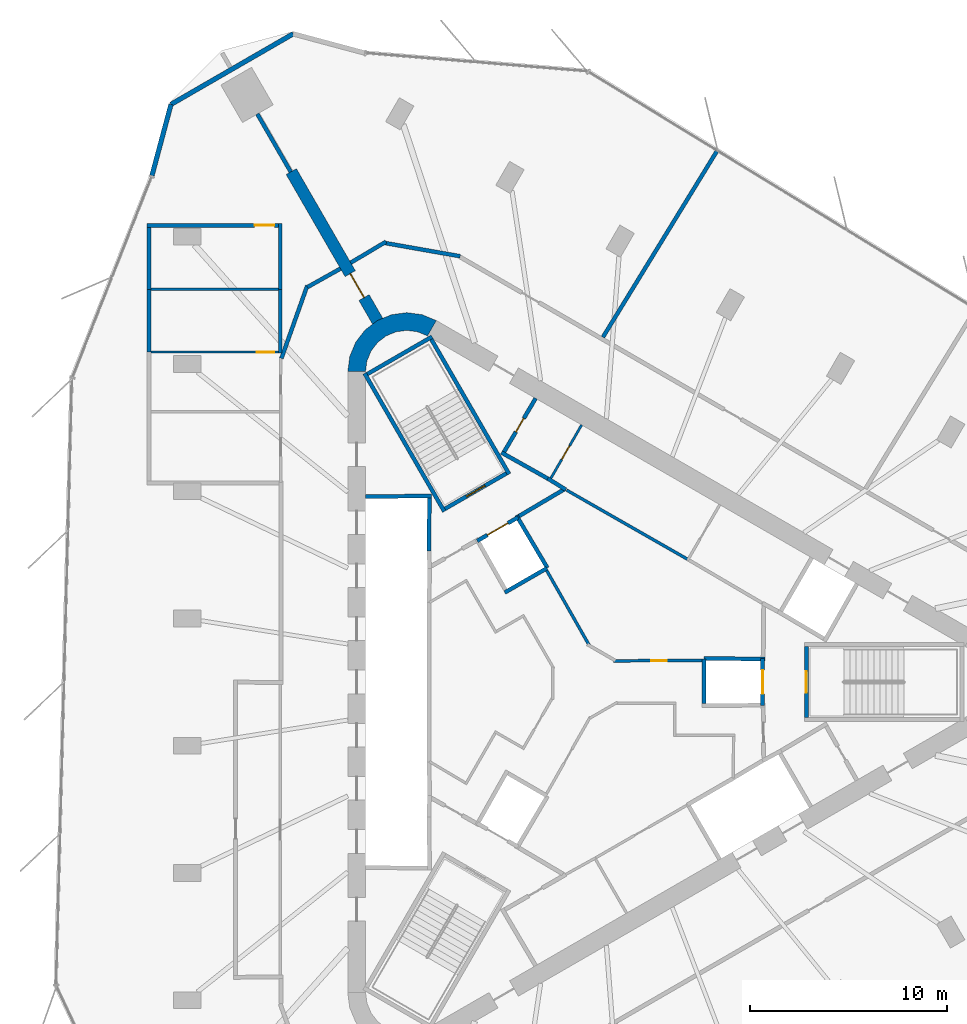
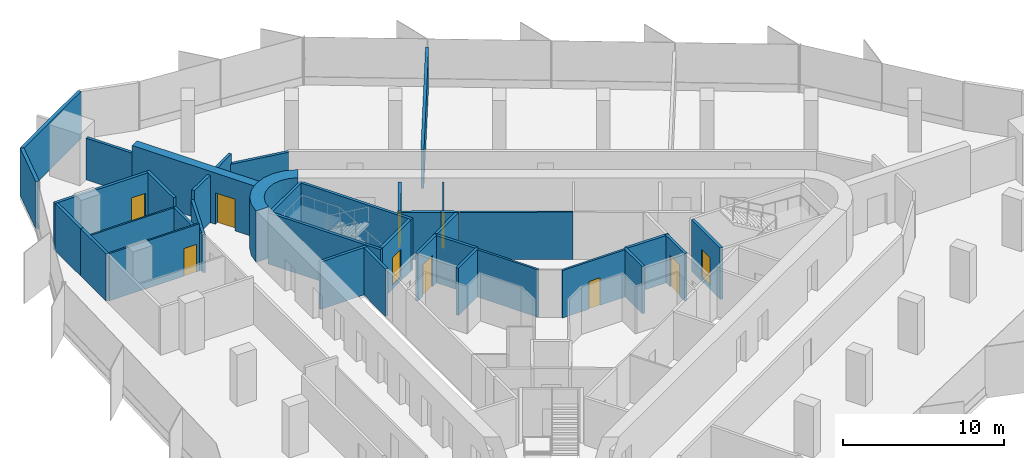
# One storey, part 10 of 13: 38 walls, 10 doors, 10 openings.
"""IFC4 building model written with IfcOpenShell, lengths in metres."""

from ifc_helpers import new_model, si_unit, direction, frame, frame_2d, origin, place, context, subcontext, project, spatial, polyline, rectangle, outline, extrude, material, layer, layer_set, type_object, element, fill, save


model = new_model("IFC4")

# Units and contexts
model_context = context("Model", 3, precision=1e-05, world=origin(), true_north=direction((0.0, 1.0)))
body_context = subcontext(model_context, "Body", "Model", "MODEL_VIEW")
ifc_project = project(units=[si_unit("LENGTHUNIT", "METRE"), si_unit("AREAUNIT", "SQUARE_METRE"), si_unit("VOLUMEUNIT", "CUBIC_METRE"), si_unit("PLANEANGLEUNIT", "RADIAN"), si_unit("MASSUNIT", "GRAM", prefix="KILO")], contexts=[model_context])

# Site, building, storey
site_placement = place(None, origin())
site = spatial("IfcSite", under=ifc_project, at=site_placement, CompositionType="ELEMENT")
building_placement = place(site_placement, origin())
building = spatial("IfcBuilding", under=site, at=building_placement, Name="Tanit Gate Tower", CompositionType="ELEMENT")
storey_placement = place(building_placement, frame((0.0, 0.0, 326.0)))
storey = spatial("IfcBuildingStorey", under=building, at=storey_placement, Name="L73", CompositionType="ELEMENT", Elevation=326.0)

# Wall, opening, door
ifc_material_1 = material(Name="Concrete C40/50", Category="concrete")
ifc_layer_1 = layer(ifc_material_1, 0.60009765625)
ifc_layer_set_1 = layer_set([ifc_layer_1], Name="BUTTRESS FIN 600 C40/50")
wall_type_1 = type_object("IfcWallType", Name="BUTTRESS FIN 600 C40/50", PredefinedType="SHEAR", material=ifc_layer_set_1)
wall_1_placement = place(storey_placement, frame((-10.574951171875, 18.31640625, 0.0), z_axis=(0.0, 0.0, 1.0), x_axis=(-0.499987805019, 0.866032444446, 0.0)))
wall_1 = element("IfcWall", 1, at=wall_1_placement, inside=storey, type_object=wall_type_1, Name="BUTTRESS FIN", PredefinedType="SHEAR", context=body_context, shape_type="SweptSolid", body=[
    extrude(rectangle(XDim=8.787353515625, YDim=0.60009765625, at=frame_2d((4.3935546875, 0.0))), origin(), (0.0, 0.0, 1.0), 3.89990234375),
])
opening_1_placement = place(wall_1_placement, frame((1.39990234375, 0.0, 0.0)))
opening_1 = element("IfcOpeningElement", 2, at=opening_1_placement, cuts=wall_1, Name="Opening P14-S20-F-NW-1", PredefinedType="OPENING", context=body_context, shape_type="SweptSolid", body=[
    extrude(rectangle(XDim=1.39990234375, YDim=2.39990234375, at=frame_2d((0.699951171875, 1.199951171875))), frame((0.0, 0.31005859375, 0.0), z_axis=(0.0, -1.0, 0.0), x_axis=(1.0, 0.0, 0.0)), (0.0, 0.0, 1.0), 0.6201171875),
])
ifc_material_2 = material(Name="Timber door leaf", Category="wood")
door_type_1 = type_object("IfcDoorType", Name="INT-DOOR-FIN-PAIR-1400", OperationType="NOTDEFINED", PredefinedType="NOTDEFINED", material=ifc_material_2)
door_1_placement = place(opening_1_placement, origin())
door_1 = element("IfcDoor", 3, at=door_1_placement, inside=storey, type_object=door_type_1, Name="Door P14-S20-F-NW-1", OperationType="DOUBLE_DOOR_SINGLE_SWING", OverallHeight=2.39990234375, OverallWidth=1.39990234375, PredefinedType="NOTDEFINED", context=body_context, shape_type="SweptSolid", body=[
    extrude(rectangle(XDim=1.39990234375, YDim=2.39990234375, at=frame_2d((0.699951171875, 1.199951171875))), frame((0.0, 0.02490234375, 0.0), z_axis=(0.0, -1.0, 0.0), x_axis=(1.0, 0.0, 0.0)), (0.0, 0.0, 1.0), 0.050048828125),
])
fill(opening_1, door_1)

# Walls
ifc_material_3 = material(Name="Concrete C40/50", Category="concrete")
ifc_layer_2 = layer(ifc_material_3, 0.89990234375)
ifc_layer_set_2 = layer_set([ifc_layer_2], Name="CORE WALL 900 C40/50")
wall_type_2 = type_object("IfcWallType", Name="CORE WALL 900 C40/50", PredefinedType="SHEAR", material=ifc_layer_set_2)
wall_2_placement = place(storey_placement, origin())
element("IfcWall", 4, at=wall_2_placement, inside=storey, type_object=wall_type_2, Name="CORE WALL CORNER", PredefinedType="SHEAR", context=body_context, shape_type="SweptSolid", body=[
    extrude(outline(polyline([(-7.60009765625, 18.359619140625), (-8.323486328125, 18.659423828125), (-9.10009765625, 18.76171875), (-9.87646484375, 18.659423828125), (-10.60009765625, 18.359619140625), (-11.22119140625, 17.883056640625), (-11.697998046875, 17.26171875), (-11.997802734375, 16.5380859375), (-12.10009765625, 15.76171875), (-11.199951171875, 15.76171875), (-11.12841796875, 16.30517578125), (-10.918701171875, 16.811767578125), (-10.5849609375, 17.24658203125), (-10.14990234375, 17.580322265625), (-9.6435546875, 17.7900390625), (-9.10009765625, 17.86181640625), (-8.556396484375, 17.7900390625), (-8.050048828125, 17.580322265625), (-7.60009765625, 18.359619140625)])), origin(), (0.0, 0.0, 1.0), 3.89990234375),
])
ifc_material_4 = material(Name="Concrete C30/37 with bronze anodised aluminium cladding", Category="concrete")
ifc_layer_3 = layer(ifc_material_4, 0.239990234375)
ifc_layer_set_3 = layer_set([ifc_layer_3], Name="Facade wall bronze clad 240")
wall_type_3 = type_object("IfcWallType", Name="Facade wall bronze clad 240", PredefinedType="SOLIDWALL", material=ifc_layer_set_3)
wall_3_placement = place(storey_placement, frame((-14.871337890625, 32.926025390625, 0.0), z_axis=(0.0, 0.0, 1.0), x_axis=(-0.866029611329, -0.499992712247, 0.0)))
element("IfcWall", 5, at=wall_3_placement, inside=storey, type_object=wall_type_3, Name="Bronze-clad facade wall L73 NW.arc2", PredefinedType="SOLIDWALL", context=body_context, shape_type="SweptSolid", body=[
    extrude(rectangle(XDim=7.16796875, YDim=0.239990234375, at=frame_2d((3.583984375, 0.0))), origin(), (0.0, 0.0, 1.0), 3.60009765625),
])
wall_4_placement = place(storey_placement, frame((-21.0791015625, 29.342041015625, 0.0), z_axis=(0.0, 0.0, 1.0), x_axis=(-0.258833727946, -0.965921891913, 0.0)))
element("IfcWall", 6, at=wall_4_placement, inside=storey, type_object=wall_type_3, Name="Bronze-clad facade wall L73 NW.arc3", PredefinedType="SOLIDWALL", context=body_context, shape_type="SweptSolid", body=[
    extrude(rectangle(XDim=3.749267578125, YDim=0.239990234375, at=frame_2d((1.87451171875, 0.0))), origin(), (0.0, 0.0, 1.0), 3.60009765625),
])
ifc_material_5 = material(Name="Fire-rated gypsum board partition")
ifc_layer_4 = layer(ifc_material_5, 0.199951171875)
ifc_layer_set_4 = layer_set([ifc_layer_4], Name="INT-WALL-COMPARTMENT")
wall_type_4 = type_object("IfcWallType", Name="INT-WALL-COMPARTMENT", PredefinedType="PARTITIONING", material=ifc_layer_set_4)
wall_5_placement = place(storey_placement, frame((-1.940673828125, 10.338623046875, 0.0), z_axis=(0.0, 0.0, 1.0), x_axis=(0.850216889117, -0.526432561171, 0.0)))
element("IfcWall", 7, at=wall_5_placement, inside=storey, type_object=wall_type_4, Name="Wall Compartment W048", PredefinedType="PARTITIONING", context=body_context, shape_type="SweptSolid", body=[
    extrude(rectangle(XDim=1.078369140625, YDim=0.199951171875, at=frame_2d((0.5390625, 0.0))), origin(), (0.0, 0.0, 1.0), 3.60009765625),
])
wall_6_placement = place(storey_placement, frame((-4.296142578125, 11.658935546875, 0.0), z_axis=(0.0, 0.0, 1.0), x_axis=(0.871534483978, -0.490334215854, 0.0)))
element("IfcWall", 8, at=wall_6_placement, inside=storey, type_object=wall_type_4, Name="Wall Compartment W050", PredefinedType="PARTITIONING", context=body_context, shape_type="SweptSolid", body=[
    extrude(rectangle(XDim=2.7001953125, YDim=0.199951171875, at=frame_2d((1.35009765625, 0.0))), origin(), (0.0, 0.0, 1.0), 3.60009765625),
])

# Wall, opening, door
wall_7_placement = place(storey_placement, frame((-2.557861328125, 14.409423828125, 0.0), z_axis=(0.0, 0.0, 1.0), x_axis=(-0.508018930956, -0.861345903683, 0.0)))
wall_7 = element("IfcWall", 9, at=wall_7_placement, inside=storey, type_object=wall_type_4, Name="Wall Compartment W051", PredefinedType="PARTITIONING", context=body_context, shape_type="SweptSolid", body=[
    extrude(rectangle(XDim=3.150146484375, YDim=0.199951171875, at=frame_2d((1.5751953125, 0.0))), origin(), (0.0, 0.0, 1.0), 3.60009765625),
])
opening_2_placement = place(wall_7_placement, frame((1.175048828125, 0.0, 0.0)))
opening_2 = element("IfcOpeningElement", 10, at=opening_2_placement, cuts=wall_7, Name="Opening R08-S20-14", PredefinedType="OPENING", context=body_context, shape_type="SweptSolid", body=[
    extrude(rectangle(XDim=0.800048828125, YDim=2.10009765625, at=frame_2d((0.39990234375, 1.050048828125))), frame((0.0, 0.10986328125, 0.0), z_axis=(0.0, -1.0, 0.0), x_axis=(1.0, 0.0, 0.0)), (0.0, 0.0, 1.0), 0.219970703125),
])
ifc_material_6 = material(Name="Timber door leaf", Category="wood")
door_type_2 = type_object("IfcDoorType", Name="INT-DOOR-RISER-800", OperationType="NOTDEFINED", PredefinedType="USERDEFINED", material=ifc_material_6)
door_2_placement = place(opening_2_placement, origin())
door_2 = element("IfcDoor", 11, at=door_2_placement, inside=storey, type_object=door_type_2, Name="Door R08-S20-14", ObjectType="FIRE DOOR", OperationType="SINGLE_SWING_RIGHT", OverallHeight=2.10009765625, OverallWidth=0.800048828125, PredefinedType="USERDEFINED", context=body_context, shape_type="SweptSolid", body=[
    extrude(rectangle(XDim=0.800048828125, YDim=2.10009765625, at=frame_2d((0.39990234375, 1.050048828125))), frame((0.0, 0.02490234375, 0.0), z_axis=(0.0, -1.0, 0.0), x_axis=(1.0, 0.0, 0.0)), (0.0, 0.0, 1.0), 0.050048828125),
])
fill(opening_2, door_2)

# Walls
wall_8_placement = place(storey_placement, frame((-1.0546875, 9.818359375, 0.0), z_axis=(0.0, 0.0, 1.0), x_axis=(-0.860614334655, -0.50925726994, 0.0)))
element("IfcWall", 12, at=wall_8_placement, inside=storey, type_object=wall_type_4, Name="Wall Compartment W061", PredefinedType="PARTITIONING", context=body_context, shape_type="SweptSolid", body=[
    extrude(rectangle(XDim=2.725830078125, YDim=0.199951171875, at=frame_2d((1.36279296875, 0.0))), origin(), (0.0, 0.0, 1.0), 3.60009765625),
])
wall_9_placement = place(storey_placement, frame((-14.153564453125, 20.14208984375, 0.0), z_axis=(0.0, 0.0, 1.0), x_axis=(-0.335013345564, -0.94221338257, 0.0)))
element("IfcWall", 13, at=wall_9_placement, inside=storey, type_object=wall_type_4, Name="Wall Compartment W091", PredefinedType="PARTITIONING", context=body_context, shape_type="SweptSolid", body=[
    extrude(rectangle(XDim=3.9287109375, YDim=0.199951171875, at=frame_2d((1.96435546875, 0.0))), origin(), (0.0, 0.0, 1.0), 2.8798828125),
])
wall_10_placement = place(storey_placement, frame((-12.469970703125, 20.99853515625, 0.0), z_axis=(0.0, 0.0, 1.0), x_axis=(-0.87250601595, -0.488603368932, 0.0)))
element("IfcWall", 14, at=wall_10_placement, inside=storey, type_object=wall_type_4, Name="Wall Compartment W092", PredefinedType="PARTITIONING", context=body_context, shape_type="SweptSolid", body=[
    extrude(rectangle(XDim=1.923828125, YDim=0.199951171875, at=frame_2d((0.9619140625, 0.0))), origin(), (0.0, 0.0, 1.0), 3.60009765625),
])
wall_11_placement = place(storey_placement, frame((-10.154541015625, 22.3671875, 0.0), z_axis=(0.0, 0.0, 1.0), x_axis=(-0.859343009577, -0.511399640097, 0.0)))
element("IfcWall", 15, at=wall_11_placement, inside=storey, type_object=wall_type_4, Name="Wall Compartment W095", PredefinedType="PARTITIONING", context=body_context, shape_type="SweptSolid", body=[
    extrude(rectangle(XDim=2.089599609375, YDim=0.199951171875, at=frame_2d((1.044921875, 0.0))), origin(), (0.0, 0.0, 1.0), 3.60009765625),
])
wall_12_placement = place(storey_placement, frame((-6.389404296875, 21.626220703125, 0.0), z_axis=(0.0, 0.0, 1.0), x_axis=(-0.984802578286, 0.173677522442, 0.0)))
element("IfcWall", 16, at=wall_12_placement, inside=storey, type_object=wall_type_4, Name="Wall Compartment W096", PredefinedType="PARTITIONING", context=body_context, shape_type="SweptSolid", body=[
    extrude(rectangle(XDim=3.87548828125, YDim=0.199951171875, at=frame_2d((1.937744140625, 0.0))), origin(), (0.0, 0.0, 1.0), 2.8798828125),
])
wall_13_placement = place(storey_placement, frame((-14.99462890625, 25.911376953125, 0.0), z_axis=(0.0, 0.0, 1.0), x_axis=(-0.500010627009, 0.866019268191, 0.0)))
element("IfcWall", 17, at=wall_13_placement, inside=storey, type_object=wall_type_4, Name="Wall Compartment W109", PredefinedType="PARTITIONING", context=body_context, shape_type="SweptSolid", body=[
    extrude(rectangle(XDim=3.39794921875, YDim=0.199951171875, at=frame_2d((1.698974609375, 0.0))), origin(), (0.0, 0.0, 1.0), 3.169921875),
])
wall_14_placement = place(storey_placement, frame((-22.199951171875, 23.090087890625, 0.0), z_axis=(0.0, 0.0, 1.0), x_axis=(0.0, -1.0, 0.0)))
element("IfcWall", 18, at=wall_14_placement, inside=storey, type_object=wall_type_4, Name="Wall Compartment W119", PredefinedType="PARTITIONING", context=body_context, shape_type="SweptSolid", body=[
    extrude(rectangle(XDim=3.139892578125, YDim=0.199951171875, at=frame_2d((1.56982421875, 0.0))), origin(), (0.0, 0.0, 1.0), 3.60009765625),
])
wall_15_placement = place(storey_placement, frame((-22.199951171875, 19.9501953125, 0.0), z_axis=(0.0, 0.0, 1.0), x_axis=(0.0, -1.0, 0.0)))
element("IfcWall", 19, at=wall_15_placement, inside=storey, type_object=wall_type_4, Name="Wall Compartment W115", PredefinedType="PARTITIONING", context=body_context, shape_type="SweptSolid", body=[
    extrude(rectangle(XDim=3.1884765625, YDim=0.199951171875, at=frame_2d((1.59423828125, 0.0))), origin(), (0.0, 0.0, 1.0), 3.60009765625),
])
wall_16_placement = place(storey_placement, frame((-15.530029296875, 16.70166015625, 0.0), z_axis=(0.0, 0.0, 1.0), x_axis=(0.0, 1.0, 0.0)))
element("IfcWall", 20, at=wall_16_placement, inside=storey, type_object=wall_type_4, Name="Wall Compartment W116", PredefinedType="PARTITIONING", context=body_context, shape_type="SweptSolid", body=[
    extrude(rectangle(XDim=3.24853515625, YDim=0.199951171875, at=frame_2d((1.624267578125, 0.0))), origin(), (0.0, 0.0, 1.0), 2.8798828125),
])
wall_17_placement = place(storey_placement, frame((-15.530029296875, 19.9501953125, 0.0), z_axis=(0.0, 0.0, 1.0), x_axis=(0.0, 1.0, 0.0)))
element("IfcWall", 21, at=wall_17_placement, inside=storey, type_object=wall_type_4, Name="Wall Compartment W117", PredefinedType="PARTITIONING", context=body_context, shape_type="SweptSolid", body=[
    extrude(rectangle(XDim=3.33984375, YDim=0.199951171875, at=frame_2d((1.669921875, 0.0))), origin(), (0.0, 0.0, 1.0), 3.60009765625),
])

# Wall, opening, door
wall_18_placement = place(storey_placement, frame((-15.6298828125, 23.18994140625, 0.0), z_axis=(0.0, 0.0, 1.0), x_axis=(-1.0, 0.0, 0.0)))
wall_18 = element("IfcWall", 22, at=wall_18_placement, inside=storey, type_object=wall_type_4, Name="Wall Compartment W118", PredefinedType="PARTITIONING", context=body_context, shape_type="SweptSolid", body=[
    extrude(rectangle(XDim=6.670166015625, YDim=0.199951171875, at=frame_2d((3.3349609375, 0.0))), origin(), (0.0, 0.0, 1.0), 3.60009765625),
])
opening_3_placement = place(wall_18_placement, frame((0.199951171875, 0.0, 0.0)))
opening_3 = element("IfcOpeningElement", 23, at=opening_3_placement, cuts=wall_18, Name="Opening F10-S20-22", PredefinedType="OPENING", context=body_context, shape_type="SweptSolid", body=[
    extrude(rectangle(XDim=1.0, YDim=2.10009765625, at=frame_2d((0.5, 1.050048828125))), frame((0.0, 0.10986328125, 0.0), z_axis=(0.0, -1.0, 0.0), x_axis=(1.0, 0.0, 0.0)), (0.0, 0.0, 1.0), 0.219970703125),
])
ifc_material_7 = material(Name="Fire-rated steel door leaf", Category="steel")
door_type_3 = type_object("IfcDoorType", Name="INT-DOOR-FIRE-1000", OperationType="NOTDEFINED", PredefinedType="USERDEFINED", material=ifc_material_7)
door_3_placement = place(opening_3_placement, origin())
door_3 = element("IfcDoor", 24, at=door_3_placement, inside=storey, type_object=door_type_3, Name="Door F10-S20-22", ObjectType="FIRE DOOR", OperationType="SINGLE_SWING_LEFT", OverallHeight=2.10009765625, OverallWidth=1.0, PredefinedType="USERDEFINED", context=body_context, shape_type="SweptSolid", body=[
    extrude(rectangle(XDim=1.0, YDim=2.10009765625, at=frame_2d((0.5, 1.050048828125))), frame((0.0, 0.02490234375, 0.0), z_axis=(0.0, -1.0, 0.0), x_axis=(1.0, 0.0, 0.0)), (0.0, 0.0, 1.0), 0.050048828125),
])
fill(opening_3, door_3)

# Wall
wall_19_placement = place(storey_placement, frame((0.859619140625, 17.51708984375, 0.0), z_axis=(0.0, 0.0, 1.0), x_axis=(0.5223859344, 0.852709174069, 0.0)))
element("IfcWall", 25, at=wall_19_placement, inside=storey, type_object=wall_type_4, Name="Wall Compartment W120", PredefinedType="PARTITIONING", context=body_context, shape_type="SweptSolid", body=[
    extrude(rectangle(XDim=11.117431640625, YDim=0.199951171875, at=frame_2d((5.55859375, 0.0))), origin(), (0.0, 0.0, 1.0), 2.969970703125),
])

# Wall, opening, door
ifc_material_8 = material(Name="Gypsum board partition")
ifc_layer_5 = layer(ifc_material_8, 0.1201171875)
ifc_layer_set_5 = layer_set([ifc_layer_5], Name="INT-WALL-PARTITION")
wall_type_5 = type_object("IfcWallType", Name="INT-WALL-PARTITION", PredefinedType="PARTITIONING", material=ifc_layer_set_5)
wall_20_placement = place(storey_placement, frame((-0.2197265625, 13.0595703125, 0.0), z_axis=(0.0, 0.0, 1.0), x_axis=(-0.499984717929, -0.866034226713, 0.0)))
wall_20 = element("IfcWall", 26, at=wall_20_placement, inside=storey, type_object=wall_type_5, Name="Wall Partition W047", PredefinedType="PARTITIONING", context=body_context, shape_type="SweptSolid", body=[
    extrude(rectangle(XDim=3.25, YDim=0.1201171875, at=frame_2d((1.625, 0.0))), origin(), (0.0, 0.0, 1.0), 3.60009765625),
])
opening_4_placement = place(wall_20_placement, frame((1.22509765625, 0.0, 0.0)))
opening_4 = element("IfcOpeningElement", 27, at=opening_4_placement, cuts=wall_20, Name="Opening R08-S20-29", PredefinedType="OPENING", context=body_context, shape_type="SweptSolid", body=[
    extrude(rectangle(XDim=0.800048828125, YDim=2.10009765625, at=frame_2d((0.39990234375, 1.050048828125))), frame((0.0, 0.070068359375, 0.0), z_axis=(0.0, -1.0, 0.0), x_axis=(1.0, 0.0, 0.0)), (0.0, 0.0, 1.0), 0.14013671875),
])
door_4_placement = place(opening_4_placement, origin())
door_4 = element("IfcDoor", 28, at=door_4_placement, inside=storey, type_object=door_type_2, Name="Door R08-S20-29", ObjectType="FIRE DOOR", OperationType="SINGLE_SWING_LEFT", OverallHeight=2.10009765625, OverallWidth=0.800048828125, PredefinedType="USERDEFINED", context=body_context, shape_type="SweptSolid", body=[
    extrude(rectangle(XDim=0.800048828125, YDim=2.10009765625, at=frame_2d((0.39990234375, 1.050048828125))), frame((0.0, 0.02490234375, 0.0), z_axis=(0.0, -1.0, 0.0), x_axis=(1.0, 0.0, 0.0)), (0.0, 0.0, 1.0), 0.050048828125),
])
fill(opening_4, door_4)

wall_21_placement = place(storey_placement, frame((-22.10009765625, 16.76171875, 0.0), z_axis=(0.0, 0.0, 1.0), x_axis=(1.0, 0.0, 0.0)))
wall_21 = element("IfcWall", 29, at=wall_21_placement, inside=storey, type_object=wall_type_5, Name="Wall Partition W126", PredefinedType="PARTITIONING", context=body_context, shape_type="SweptSolid", body=[
    extrude(rectangle(XDim=6.47021484375, YDim=0.1201171875, at=frame_2d((3.235107421875, 0.0))), origin(), (0.0, 0.0, 1.0), 3.60009765625),
])
opening_5_placement = place(wall_21_placement, frame((5.3701171875, 0.0, 0.0)))
opening_5 = element("IfcOpeningElement", 30, at=opening_5_placement, cuts=wall_21, Name="Opening D09-S20-21", PredefinedType="OPENING", context=body_context, shape_type="SweptSolid", body=[
    extrude(rectangle(XDim=0.89990234375, YDim=2.10009765625, at=frame_2d((0.449951171875, 1.050048828125))), frame((0.0, 0.070068359375, 0.0), z_axis=(0.0, -1.0, 0.0), x_axis=(1.0, 0.0, 0.0)), (0.0, 0.0, 1.0), 0.14013671875),
])
ifc_material_9 = material(Name="Timber door leaf", Category="wood")
door_type_4 = type_object("IfcDoorType", Name="INT-DOOR-SINGLE-900", OperationType="NOTDEFINED", PredefinedType="NOTDEFINED", material=ifc_material_9)
door_5_placement = place(opening_5_placement, origin())
door_5 = element("IfcDoor", 31, at=door_5_placement, inside=storey, type_object=door_type_4, Name="Door D09-S20-21", OperationType="SINGLE_SWING_RIGHT", OverallHeight=2.10009765625, OverallWidth=0.89990234375, PredefinedType="NOTDEFINED", context=body_context, shape_type="SweptSolid", body=[
    extrude(rectangle(XDim=0.89990234375, YDim=2.10009765625, at=frame_2d((0.449951171875, 1.050048828125))), frame((0.0, 0.02490234375, 0.0), z_axis=(0.0, -1.0, 0.0), x_axis=(1.0, 0.0, 0.0)), (0.0, 0.0, 1.0), 0.050048828125),
])
fill(opening_5, door_5)

# Walls
wall_22_placement = place(storey_placement, frame((-22.10009765625, 19.9501953125, 0.0), z_axis=(0.0, 0.0, 1.0), x_axis=(1.0, 0.0, 0.0)))
element("IfcWall", 32, at=wall_22_placement, inside=storey, type_object=wall_type_5, Name="Wall Partition W127", PredefinedType="PARTITIONING", context=body_context, shape_type="SweptSolid", body=[
    extrude(rectangle(XDim=6.47021484375, YDim=0.1201171875, at=frame_2d((3.235107421875, 0.0))), origin(), (0.0, 0.0, 1.0), 2.8798828125),
])
ifc_material_10 = material(Name="Fire-rated gypsum board partition")
ifc_layer_6 = layer(ifc_material_10, 0.14990234375)
ifc_layer_set_6 = layer_set([ifc_layer_6], Name="INT-WALL-RISER")
wall_type_6 = type_object("IfcWallType", Name="INT-WALL-RISER", PredefinedType="PLUMBINGWALL", material=ifc_layer_set_6)
wall_23_placement = place(storey_placement, frame((5.1591796875, 6.23583984375, 0.0), z_axis=(0.0, 0.0, 1.0), x_axis=(-0.868105023632, 0.496380567654, 0.0)))
element("IfcWall", 33, at=wall_23_placement, inside=storey, type_object=wall_type_6, Name="Wall Riser W049", PredefinedType="PLUMBINGWALL", context=body_context, shape_type="SweptSolid", body=[
    extrude(rectangle(XDim=7.072265625, YDim=0.14990234375, at=frame_2d((3.5361328125, 0.0))), origin(), (0.0, 0.0, 1.0), 3.60009765625),
])

# Wall, opening, door
wall_24_placement = place(storey_placement, frame((1.3876953125, 1.07421875, 0.0), z_axis=(0.0, 0.0, 1.0), x_axis=(0.99997856967, 0.006546770205, 0.0)))
wall_24 = element("IfcWall", 34, at=wall_24_placement, inside=storey, type_object=wall_type_6, Name="Wall Riser W065", PredefinedType="PLUMBINGWALL", context=body_context, shape_type="SweptSolid", body=[
    extrude(rectangle(XDim=4.51220703125, YDim=0.14990234375, at=frame_2d((2.256103515625, 0.0))), origin(), (0.0, 0.0, 1.0), 3.60009765625),
])
opening_6_placement = place(wall_24_placement, frame((1.920166015625, 0.0, 0.0)))
opening_6 = element("IfcOpeningElement", 35, at=opening_6_placement, cuts=wall_24, Name="Opening R08-S20-10", PredefinedType="OPENING", context=body_context, shape_type="SweptSolid", body=[
    extrude(rectangle(XDim=0.800048828125, YDim=2.10009765625, at=frame_2d((0.39990234375, 1.050048828125))), frame((0.0, 0.0849609375, 0.0), z_axis=(0.0, -1.0, 0.0), x_axis=(1.0, 0.0, 0.0)), (0.0, 0.0, 1.0), 0.169921875),
])
door_6_placement = place(opening_6_placement, origin())
door_6 = element("IfcDoor", 36, at=door_6_placement, inside=storey, type_object=door_type_2, Name="Door R08-S20-10", ObjectType="FIRE DOOR", OperationType="SINGLE_SWING_LEFT", OverallHeight=2.10009765625, OverallWidth=0.800048828125, PredefinedType="USERDEFINED", context=body_context, shape_type="SweptSolid", body=[
    extrude(rectangle(XDim=0.800048828125, YDim=2.10009765625, at=frame_2d((0.39990234375, 1.050048828125))), frame((0.0, 0.02490234375, 0.0), z_axis=(0.0, -1.0, 0.0), x_axis=(1.0, 0.0, 0.0)), (0.0, 0.0, 1.0), 0.050048828125),
])
fill(opening_6, door_6)

# Walls
wall_25_placement = place(storey_placement, frame((-1.994140625, 5.661376953125, 0.0), z_axis=(0.0, 0.0, 1.0), x_axis=(0.494341211302, -0.869267948798, 0.0)))
element("IfcWall", 37, at=wall_25_placement, inside=storey, type_object=wall_type_6, Name="Wall Riser W067", PredefinedType="PLUMBINGWALL", context=body_context, shape_type="SweptSolid", body=[
    extrude(rectangle(XDim=4.36083984375, YDim=0.14990234375, at=frame_2d((2.180419921875, 0.0))), origin(), (0.0, 0.0, 1.0), 3.60009765625),
])
ifc_material_11 = material(Name="Gypsum shaft wall system")
ifc_layer_7 = layer(ifc_material_11, 0.199951171875)
ifc_layer_set_7 = layer_set([ifc_layer_7], Name="INT-WALL-SHAFT")
wall_type_7 = type_object("IfcWallType", Name="INT-WALL-SHAFT", PredefinedType="PLUMBINGWALL", material=ifc_layer_set_7)
wall_26_placement = place(storey_placement, frame((-11.199951171875, 9.419921875, 0.0), z_axis=(0.0, 0.0, 1.0), x_axis=(0.999957167047, 0.009255488683, 0.0)))
element("IfcWall", 38, at=wall_26_placement, inside=storey, type_object=wall_type_7, Name="Wall Shaft W001", PredefinedType="PLUMBINGWALL", context=body_context, shape_type="SweptSolid", body=[
    extrude(rectangle(XDim=3.35009765625, YDim=0.199951171875, at=frame_2d((1.675048828125, 0.0))), origin(), (0.0, 0.0, 1.0), 3.60009765625),
])
wall_27_placement = place(storey_placement, frame((-7.951171875, 9.35009765625, 0.0), z_axis=(0.0, 0.0, 1.0), x_axis=(-0.011120469654, -0.999938165666, 0.0)))
element("IfcWall", 39, at=wall_27_placement, inside=storey, type_object=wall_type_7, Name="Wall Shaft W002", PredefinedType="PLUMBINGWALL", context=body_context, shape_type="SweptSolid", body=[
    extrude(rectangle(XDim=2.700439453125, YDim=0.199951171875, at=frame_2d((1.35009765625, 0.0))), origin(), (0.0, 0.0, 1.0), 3.60009765625),
])

# Wall, opening, door
wall_28_placement = place(storey_placement, frame((8.969970703125, 1.199951171875, 0.0), z_axis=(0.0, 0.0, 1.0), x_axis=(0.0, -1.0, 0.0)))
wall_28 = element("IfcWall", 40, at=wall_28_placement, inside=storey, type_object=wall_type_7, Name="Wall Shaft W024", PredefinedType="PLUMBINGWALL", context=body_context, shape_type="SweptSolid", body=[
    extrude(rectangle(XDim=2.39990234375, YDim=0.199951171875, at=frame_2d((1.199951171875, 0.0))), origin(), (0.0, 0.0, 1.0), 3.60009765625),
])
opening_7_placement = place(wall_28_placement, frame((0.60009765625, 0.0, 0.0)))
opening_7 = element("IfcOpeningElement", 41, at=opening_7_placement, cuts=wall_28, Name="Opening LDFL1-L73", PredefinedType="OPENING", context=body_context, shape_type="SweptSolid", body=[
    extrude(rectangle(XDim=1.199951171875, YDim=2.39990234375, at=frame_2d((0.60009765625, 1.199951171875))), frame((0.0, 0.10986328125, 0.0), z_axis=(0.0, -1.0, 0.0), x_axis=(1.0, 0.0, 0.0)), (0.0, 0.0, 1.0), 0.219970703125),
])
ifc_material_12 = material(Name="Stainless steel sliding door leaf", Category="steel")
door_type_5 = type_object("IfcDoorType", Name="INT-DOOR-LANDING-1200", OperationType="NOTDEFINED", PredefinedType="USERDEFINED", material=ifc_material_12)
door_7_placement = place(opening_7_placement, origin())
door_7 = element("IfcDoor", 42, at=door_7_placement, inside=storey, type_object=door_type_5, Name="Door LDFL1-L73", ObjectType="LANDING DOOR", OperationType="SLIDING_TO_LEFT", OverallHeight=2.39990234375, OverallWidth=1.199951171875, PredefinedType="USERDEFINED", context=body_context, shape_type="SweptSolid", body=[
    extrude(rectangle(XDim=1.199951171875, YDim=2.39990234375, at=frame_2d((0.60009765625, 1.199951171875))), frame((0.0, 0.02490234375, 0.0), z_axis=(0.0, -1.0, 0.0), x_axis=(1.0, 0.0, 0.0)), (0.0, 0.0, 1.0), 0.050048828125),
])
fill(opening_7, door_7)

# Walls
wall_29_placement = place(storey_placement, frame((6.0, 1.199951171875, 0.0), z_axis=(0.0, 0.0, 1.0), x_axis=(0.999949988, -0.010001074852, 0.0)))
element("IfcWall", 43, at=wall_29_placement, inside=storey, type_object=wall_type_7, Name="Wall Shaft W025", PredefinedType="PLUMBINGWALL", context=body_context, shape_type="SweptSolid", body=[
    extrude(rectangle(XDim=3.100341796875, YDim=0.199951171875, at=frame_2d((1.55029296875, 0.0))), origin(), (0.0, 0.0, 1.0), 3.60009765625),
])
wall_30_placement = place(storey_placement, frame((6.0, -1.10009765625, 0.0), z_axis=(0.0, 0.0, 1.0), x_axis=(0.0, 1.0, 0.0)))
element("IfcWall", 44, at=wall_30_placement, inside=storey, type_object=wall_type_7, Name="Wall Shaft W027", PredefinedType="PLUMBINGWALL", context=body_context, shape_type="SweptSolid", body=[
    extrude(rectangle(XDim=2.279541015625, YDim=0.199951171875, at=frame_2d((1.1396484375, 0.0))), origin(), (0.0, 0.0, 1.0), 3.60009765625),
])

# Wall, opening, door
wall_31_placement = place(storey_placement, frame((-5.524169921875, 7.168212890625, 0.0), z_axis=(0.0, 0.0, 1.0), x_axis=(0.866024647952, 0.500001309137, 0.0)))
wall_31 = element("IfcWall", 45, at=wall_31_placement, inside=storey, type_object=wall_type_7, Name="Wall Shaft W032", PredefinedType="PLUMBINGWALL", context=body_context, shape_type="SweptSolid", body=[
    extrude(rectangle(XDim=2.39990234375, YDim=0.199951171875, at=frame_2d((1.199951171875, 0.0))), origin(), (0.0, 0.0, 1.0), 3.60009765625),
])
opening_8_placement = place(wall_31_placement, frame((0.60009765625, 0.0, 0.0)))
opening_8 = element("IfcOpeningElement", 46, at=opening_8_placement, cuts=wall_31, Name="Opening LDFL2-L73", PredefinedType="OPENING", context=body_context, shape_type="SweptSolid", body=[
    extrude(rectangle(XDim=1.199951171875, YDim=2.39990234375, at=frame_2d((0.60009765625, 1.199951171875))), frame((0.0, 0.10986328125, 0.0), z_axis=(0.0, -1.0, 0.0), x_axis=(1.0, 0.0, 0.0)), (0.0, 0.0, 1.0), 0.219970703125),
])
door_8_placement = place(opening_8_placement, origin())
door_8 = element("IfcDoor", 47, at=door_8_placement, inside=storey, type_object=door_type_5, Name="Door LDFL2-L73", ObjectType="LANDING DOOR", OperationType="SLIDING_TO_LEFT", OverallHeight=2.39990234375, OverallWidth=1.199951171875, PredefinedType="USERDEFINED", context=body_context, shape_type="SweptSolid", body=[
    extrude(rectangle(XDim=1.199951171875, YDim=2.39990234375, at=frame_2d((0.60009765625, 1.199951171875))), frame((0.0, 0.02490234375, 0.0), z_axis=(0.0, -1.0, 0.0), x_axis=(1.0, 0.0, 0.0)), (0.0, 0.0, 1.0), 0.050048828125),
])
fill(opening_8, door_8)

# Walls
wall_32_placement = place(storey_placement, frame((-3.53759765625, 8.46533203125, 0.0), z_axis=(0.0, 0.0, 1.0), x_axis=(0.508647062354, -0.860975125052, 0.0)))
element("IfcWall", 48, at=wall_32_placement, inside=storey, type_object=wall_type_7, Name="Wall Shaft W033", PredefinedType="PLUMBINGWALL", context=body_context, shape_type="SweptSolid", body=[
    extrude(rectangle(XDim=3.10009765625, YDim=0.199951171875, at=frame_2d((1.550048828125, 0.0))), origin(), (0.0, 0.0, 1.0), 3.60009765625),
])
wall_33_placement = place(storey_placement, frame((-1.978515625, 5.785888671875, 0.0), z_axis=(0.0, 0.0, 1.0), x_axis=(-0.866016689309, -0.500015093611, 0.0)))
element("IfcWall", 49, at=wall_33_placement, inside=storey, type_object=wall_type_7, Name="Wall Shaft W034", PredefinedType="PLUMBINGWALL", context=body_context, shape_type="SweptSolid", body=[
    extrude(rectangle(XDim=2.4794921875, YDim=0.199951171875, at=frame_2d((1.23974609375, 0.0))), origin(), (0.0, 0.0, 1.0), 3.60009765625),
])

# Wall, opening, door
ifc_material_13 = material(Name="Concrete C40/50", Category="concrete")
ifc_layer_8 = layer(ifc_material_13, 0.199951171875)
ifc_layer_set_8 = layer_set([ifc_layer_8], Name="INT-WALL-STAIR")
wall_type_8 = type_object("IfcWallType", Name="INT-WALL-STAIR", PredefinedType="SHEAR", material=ifc_layer_set_8)
wall_34_placement = place(storey_placement, frame((11.199951171875, -1.800048828125, -0.300048828125), z_axis=(0.0, 0.0, 1.0), x_axis=(0.0, 1.0, 0.0)))
wall_34 = element("IfcWall", 50, at=wall_34_placement, inside=storey, type_object=wall_type_8, Name="Wall Stair W023", PredefinedType="SHEAR", context=body_context, shape_type="SweptSolid", body=[
    extrude(rectangle(XDim=3.60009765625, YDim=0.199951171875, at=frame_2d((1.800048828125, 0.0))), origin(), (0.0, 0.0, 1.0), 3.900146484375),
])
opening_9_placement = place(wall_34_placement, frame((1.25, 0.0, 0.300048828125)))
opening_9 = element("IfcOpeningElement", 51, at=opening_9_placement, cuts=wall_34, Name="Opening S11-S20-01", PredefinedType="OPENING", context=body_context, shape_type="SweptSolid", body=[
    extrude(rectangle(XDim=1.10009765625, YDim=2.10009765625, at=frame_2d((0.550048828125, 1.050048828125))), frame((0.0, 0.10986328125, 0.0), z_axis=(0.0, -1.0, 0.0), x_axis=(1.0, 0.0, 0.0)), (0.0, 0.0, 1.0), 0.219970703125),
])
ifc_material_14 = material(Name="Timber door leaf", Category="wood")
door_type_6 = type_object("IfcDoorType", Name="INT-DOOR-STAIR-1100", OperationType="NOTDEFINED", PredefinedType="USERDEFINED", material=ifc_material_14)
door_9_placement = place(opening_9_placement, origin())
door_9 = element("IfcDoor", 52, at=door_9_placement, inside=storey, type_object=door_type_6, Name="Door S11-S20-01", ObjectType="FIRE DOOR", OperationType="SINGLE_SWING_RIGHT", OverallHeight=2.10009765625, OverallWidth=1.10009765625, PredefinedType="USERDEFINED", context=body_context, shape_type="SweptSolid", body=[
    extrude(rectangle(XDim=1.10009765625, YDim=2.10009765625, at=frame_2d((0.550048828125, 1.050048828125))), frame((0.0, 0.02490234375, 0.0), z_axis=(0.0, -1.0, 0.0), x_axis=(1.0, 0.0, 0.0)), (0.0, 0.0, 1.0), 0.050048828125),
])
fill(opening_9, door_9)

# Walls
wall_35_placement = place(storey_placement, frame((-11.245361328125, 15.677734375, -0.300048828125), z_axis=(0.0, 0.0, 1.0), x_axis=(0.499977274689, -0.866038523851, 0.0)))
element("IfcWall", 53, at=wall_35_placement, inside=storey, type_object=wall_type_8, Name="Wall Stair W028", PredefinedType="SHEAR", context=body_context, shape_type="SweptSolid", body=[
    extrude(rectangle(XDim=8.10009765625, YDim=0.199951171875, at=frame_2d((4.050048828125, 0.0))), origin(), (0.0, 0.0, 1.0), 3.900146484375),
])
wall_36_placement = place(storey_placement, frame((-7.81787109375, 17.541015625, -0.300048828125), z_axis=(0.0, 0.0, 1.0), x_axis=(-0.866044365799, -0.499967155389, 0.0)))
element("IfcWall", 54, at=wall_36_placement, inside=storey, type_object=wall_type_8, Name="Wall Stair W029", PredefinedType="SHEAR", context=body_context, shape_type="SweptSolid", body=[
    extrude(rectangle(XDim=3.800048828125, YDim=0.199951171875, at=frame_2d((1.89990234375, 0.0))), origin(), (0.0, 0.0, 1.0), 3.900146484375),
])
wall_37_placement = place(storey_placement, frame((-7.8544921875, 17.404541015625, -0.300048828125), z_axis=(0.0, 0.0, 1.0), x_axis=(0.499997992926, -0.866026562566, 0.0)))
element("IfcWall", 55, at=wall_37_placement, inside=storey, type_object=wall_type_8, Name="Wall Stair W030", PredefinedType="SHEAR", context=body_context, shape_type="SweptSolid", body=[
    extrude(rectangle(XDim=7.89990234375, YDim=0.199951171875, at=frame_2d((3.949951171875, 0.0))), origin(), (0.0, 0.0, 1.0), 3.900146484375),
])

# Wall, opening, door
wall_38_placement = place(storey_placement, frame((-7.158935546875, 8.799560546875, -0.300048828125), z_axis=(0.0, 0.0, 1.0), x_axis=(0.866047807691, 0.499961193289, 0.0)))
wall_38 = element("IfcWall", 56, at=wall_38_placement, inside=storey, type_object=wall_type_8, Name="Wall Stair W031", PredefinedType="SHEAR", context=body_context, shape_type="SweptSolid", body=[
    extrude(rectangle(XDim=3.599853515625, YDim=0.199951171875, at=frame_2d((1.7998046875, 0.0))), origin(), (0.0, 0.0, 1.0), 3.900146484375),
])
opening_10_placement = place(wall_38_placement, frame((1.25, 0.0, 0.300048828125)))
opening_10 = element("IfcOpeningElement", 57, at=opening_10_placement, cuts=wall_38, Name="Opening S11-S20-04", PredefinedType="OPENING", context=body_context, shape_type="SweptSolid", body=[
    extrude(rectangle(XDim=1.10009765625, YDim=2.10009765625, at=frame_2d((0.550048828125, 1.050048828125))), frame((0.0, 0.10986328125, 0.0), z_axis=(0.0, -1.0, 0.0), x_axis=(1.0, 0.0, 0.0)), (0.0, 0.0, 1.0), 0.219970703125),
])
door_10_placement = place(opening_10_placement, origin())
door_10 = element("IfcDoor", 58, at=door_10_placement, inside=storey, type_object=door_type_6, Name="Door S11-S20-04", ObjectType="FIRE DOOR", OperationType="SINGLE_SWING_LEFT", OverallHeight=2.10009765625, OverallWidth=1.10009765625, PredefinedType="USERDEFINED", context=body_context, shape_type="SweptSolid", body=[
    extrude(rectangle(XDim=1.10009765625, YDim=2.10009765625, at=frame_2d((0.550048828125, 1.050048828125))), frame((0.0, 0.02490234375, 0.0), z_axis=(0.0, -1.0, 0.0), x_axis=(1.0, 0.0, 0.0)), (0.0, 0.0, 1.0), 0.050048828125),
])
fill(opening_10, door_10)

save(model, "model.ifc")
